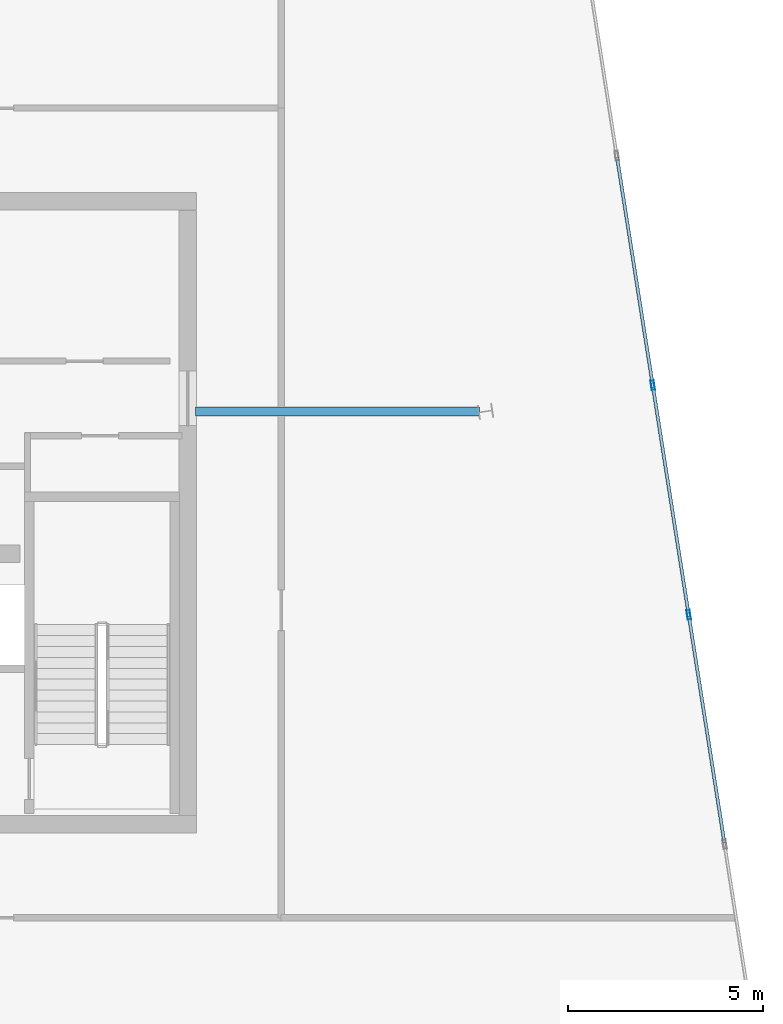
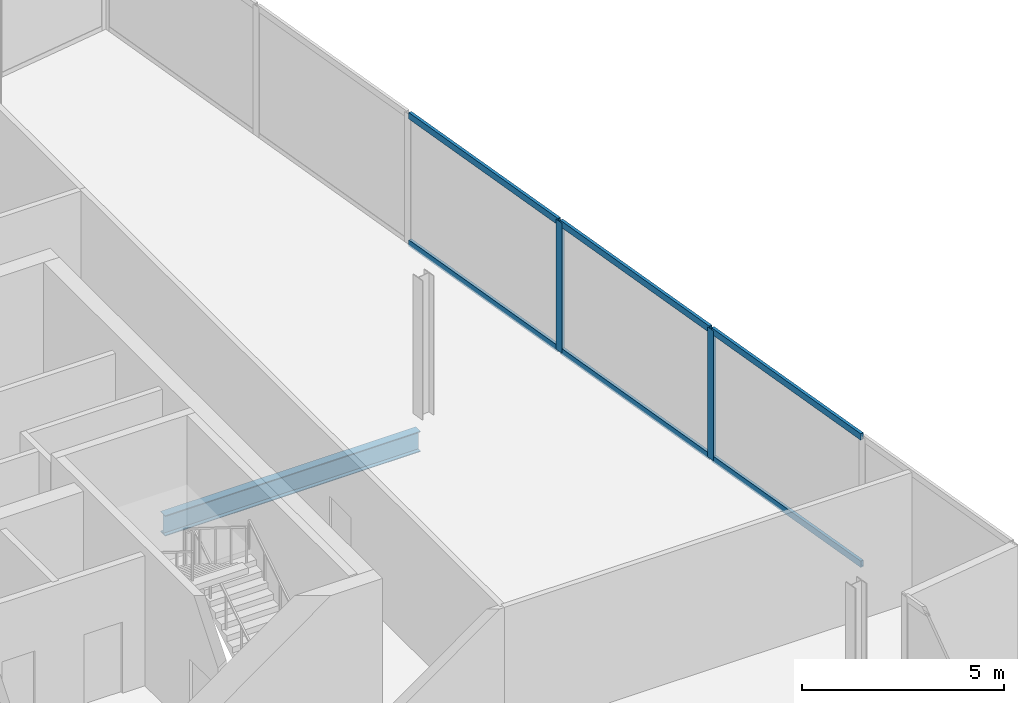
# One storey, part 6 of 13: 8 members, 1 beam, 1 element without a shape of its own.
"""IFC4 building model written with IfcOpenShell, lengths in metres."""

from ifc_helpers import new_model, si_unit, direction, frame, origin, origin_2d, place, context, subcontext, project, spatial, hollow_rectangle, i_section, extrude, material, material_profile, profile_set, type_object, element, aggregate, save


model = new_model("IFC4")

# Units and contexts
model_context = context("Model", 3, precision=1e-05, world=origin(), true_north=direction((0.0, 1.0)))
body_context = subcontext(model_context, "Body", "Model", "MODEL_VIEW")
ifc_project = project(units=[si_unit("LENGTHUNIT", "METRE"), si_unit("AREAUNIT", "SQUARE_METRE"), si_unit("VOLUMEUNIT", "CUBIC_METRE"), si_unit("PLANEANGLEUNIT", "RADIAN"), si_unit("MASSUNIT", "GRAM", prefix="KILO")], contexts=[model_context])

# Site, building, storey
site_placement = place(None, origin())
site = spatial("IfcSite", under=ifc_project, at=site_placement, CompositionType="ELEMENT")
building_placement = place(site_placement, origin())
building = spatial("IfcBuilding", under=site, at=building_placement, Name="Haldenkirk Collegiate Tower", CompositionType="ELEMENT")
storey_placement = place(building_placement, frame((0.0, 0.0, 356.39990234375)))
storey = spatial("IfcBuildingStorey", under=building, at=storey_placement, Name="L90", CompositionType="ELEMENT", Elevation=356.39990234375)

# Beam
ifc_material_1 = material(Name="Steel ASTM A992 Grade 50", Category="steel")
ifc_material_profile_1 = material_profile(ifc_material_1, i_section(OverallWidth=0.22998046875, OverallDepth=0.616943359375, WebThickness=0.01318359375, FlangeThickness=0.022216796875, at=origin_2d()), Name="W24X94")
ifc_profile_set_1 = profile_set([ifc_material_profile_1], Name="Steel ASTM A992 Grade 50")
beam_type = type_object("IfcBeamType", Name="BM-GIRDER-W24X94", PredefinedType="BEAM", material=ifc_profile_set_1)
beam_placement = place(storey_placement, frame((52.4970703125, 28.60693359375, -0.70849609375), z_axis=(-1.0, 0.0, 0.0), x_axis=(0.0, -1.0, 0.0)))
element("IfcBeam", 1, at=beam_placement, inside=storey, type_object=beam_type, Name="L90 crown radial floor beam 2", PredefinedType="BEAM", context=body_context, shape_type="SweptSolid", body=[
    extrude(i_section(OverallWidth=0.22998046875, OverallDepth=0.616943359375, WebThickness=0.01318359375, FlangeThickness=0.022216796875, at=origin_2d()), origin(), (0.0, 0.0, 1.0), 7.297119140625),
])

# Curtain wall, members
ifc_material_2 = material(Name="Anodised architectural bronze aluminium", Category="aluminium")
curtain_wall_type = type_object("IfcCurtainWallType", Name="CW-SYS5-LANTERN", PredefinedType="USERDEFINED", material=ifc_material_2)
curtain_wall_placement = place(storey_placement, origin())
curtain_wall = element("IfcCurtainWall", 2, at=curtain_wall_placement, inside=storey, type_object=curtain_wall_type, Name="L90 Level L90 glazed crown lantern curtain wall", ObjectType="UNITISED CURTAIN WALL", PredefinedType="USERDEFINED")
ifc_material_profile_2 = material_profile(ifc_material_2, hollow_rectangle(XDim=0.0849609375, YDim=0.235107421875, WallThickness=0.0048828125, at=origin_2d()), Name="CW-MUL-05")
ifc_profile_set_2 = profile_set([ifc_material_profile_2], Name="Anodised architectural bronze aluminium")
member_type_1 = type_object("IfcMemberType", Name="CW-MUL-05", PredefinedType="MULLION", material=ifc_profile_set_2)
member_1_placement = place(storey_placement, frame((56.94482421875, 29.27978515625, 0.0), z_axis=(0.0, 0.0, 1.0), x_axis=(0.987959532462, 0.154712514742, 0.0)))
member_1 = element("IfcMember", 3, at=member_1_placement, type_object=member_type_1, Name="CW-05 mullion 4", PredefinedType="MULLION", context=body_context, shape_type="SweptSolid", body=[
    extrude(hollow_rectangle(XDim=0.0849609375, YDim=0.235107421875, WallThickness=0.0048828125, at=origin_2d()), origin(), (0.0, 0.0, 1.0), 3.93017578125),
])
member_2_placement = place(storey_placement, frame((57.867919921875, 23.385009765625, 0.0), z_axis=(0.0, 0.0, 1.0), x_axis=(0.987959532462, 0.154712514742, 0.0)))
member_2 = element("IfcMember", 4, at=member_2_placement, type_object=member_type_1, Name="CW-05 mullion 5", PredefinedType="MULLION", context=body_context, shape_type="SweptSolid", body=[
    extrude(hollow_rectangle(XDim=0.0849609375, YDim=0.235107421875, WallThickness=0.0048828125, at=origin_2d()), origin(), (0.0, 0.0, 1.0), 3.93017578125),
])
ifc_material_profile_3 = material_profile(ifc_material_2, hollow_rectangle(XDim=0.0849609375, YDim=0.195068359375, WallThickness=0.0048828125, at=origin_2d()), Name="CW-TRN-05")
ifc_profile_set_3 = profile_set([ifc_material_profile_3], Name="Anodised architectural bronze aluminium")
member_type_2 = type_object("IfcMemberType", Name="CW-TRN-05", PredefinedType="USERDEFINED", material=ifc_profile_set_3)
member_3_placement = place(storey_placement, frame((56.0283203125, 35.132568359375, 0.04248046875), z_axis=(0.154704830151, -0.987960735823, 0.0), x_axis=(0.987960735823, 0.154704830151, 0.0)))
member_3 = element("IfcMember", 5, at=member_3_placement, type_object=member_type_2, Name="CW-05 transom 3.1", ObjectType="TRANSOM", PredefinedType="USERDEFINED", context=body_context, shape_type="SweptSolid", body=[
    extrude(hollow_rectangle(XDim=0.0849609375, YDim=0.195068359375, WallThickness=0.0048828125, at=origin_2d()), origin(), (0.0, 0.0, 1.0), 5.881591796875),
])
member_4_placement = place(storey_placement, frame((56.0283203125, 35.132568359375, 3.8876953125), z_axis=(0.154704830151, -0.987960735823, 0.0), x_axis=(0.987960735823, 0.154704830151, 0.0)))
member_4 = element("IfcMember", 6, at=member_4_placement, type_object=member_type_2, Name="CW-05 transom 3.2", ObjectType="TRANSOM", PredefinedType="USERDEFINED", context=body_context, shape_type="SweptSolid", body=[
    extrude(hollow_rectangle(XDim=0.0849609375, YDim=0.195068359375, WallThickness=0.0048828125, at=origin_2d()), origin(), (0.0, 0.0, 1.0), 5.881591796875),
])
member_5_placement = place(storey_placement, frame((56.951416015625, 29.23779296875, 0.04248046875), z_axis=(0.154704830151, -0.987960735823, 0.0), x_axis=(0.987960735823, 0.154704830151, 0.0)))
member_5 = element("IfcMember", 7, at=member_5_placement, type_object=member_type_2, Name="CW-05 transom 4.1", ObjectType="TRANSOM", PredefinedType="USERDEFINED", context=body_context, shape_type="SweptSolid", body=[
    extrude(hollow_rectangle(XDim=0.0849609375, YDim=0.195068359375, WallThickness=0.0048828125, at=origin_2d()), origin(), (0.0, 0.0, 1.0), 5.881591796875),
])
member_6_placement = place(storey_placement, frame((56.951416015625, 29.23779296875, 3.8876953125), z_axis=(0.154704830151, -0.987960735823, 0.0), x_axis=(0.987960735823, 0.154704830151, 0.0)))
member_6 = element("IfcMember", 8, at=member_6_placement, type_object=member_type_2, Name="CW-05 transom 4.2", ObjectType="TRANSOM", PredefinedType="USERDEFINED", context=body_context, shape_type="SweptSolid", body=[
    extrude(hollow_rectangle(XDim=0.0849609375, YDim=0.195068359375, WallThickness=0.0048828125, at=origin_2d()), origin(), (0.0, 0.0, 1.0), 5.881591796875),
])
member_7_placement = place(storey_placement, frame((57.87451171875, 23.343017578125, 0.04248046875), z_axis=(0.154704830151, -0.987960735823, 0.0), x_axis=(0.987960735823, 0.154704830151, 0.0)))
member_7 = element("IfcMember", 9, at=member_7_placement, type_object=member_type_2, Name="CW-05 transom 5.1", ObjectType="TRANSOM", PredefinedType="USERDEFINED", context=body_context, shape_type="SweptSolid", body=[
    extrude(hollow_rectangle(XDim=0.0849609375, YDim=0.195068359375, WallThickness=0.0048828125, at=origin_2d()), origin(), (0.0, 0.0, 1.0), 5.881591796875),
])
member_8_placement = place(storey_placement, frame((57.87451171875, 23.343017578125, 3.8876953125), z_axis=(0.154704830151, -0.987960735823, 0.0), x_axis=(0.987960735823, 0.154704830151, 0.0)))
member_8 = element("IfcMember", 10, at=member_8_placement, type_object=member_type_2, Name="CW-05 transom 5.2", ObjectType="TRANSOM", PredefinedType="USERDEFINED", context=body_context, shape_type="SweptSolid", body=[
    extrude(hollow_rectangle(XDim=0.0849609375, YDim=0.195068359375, WallThickness=0.0048828125, at=origin_2d()), origin(), (0.0, 0.0, 1.0), 5.881591796875),
])
aggregate(curtain_wall, [member_1, member_2, member_3, member_4, member_5, member_6, member_7, member_8])

save(model, "model.ifc")
